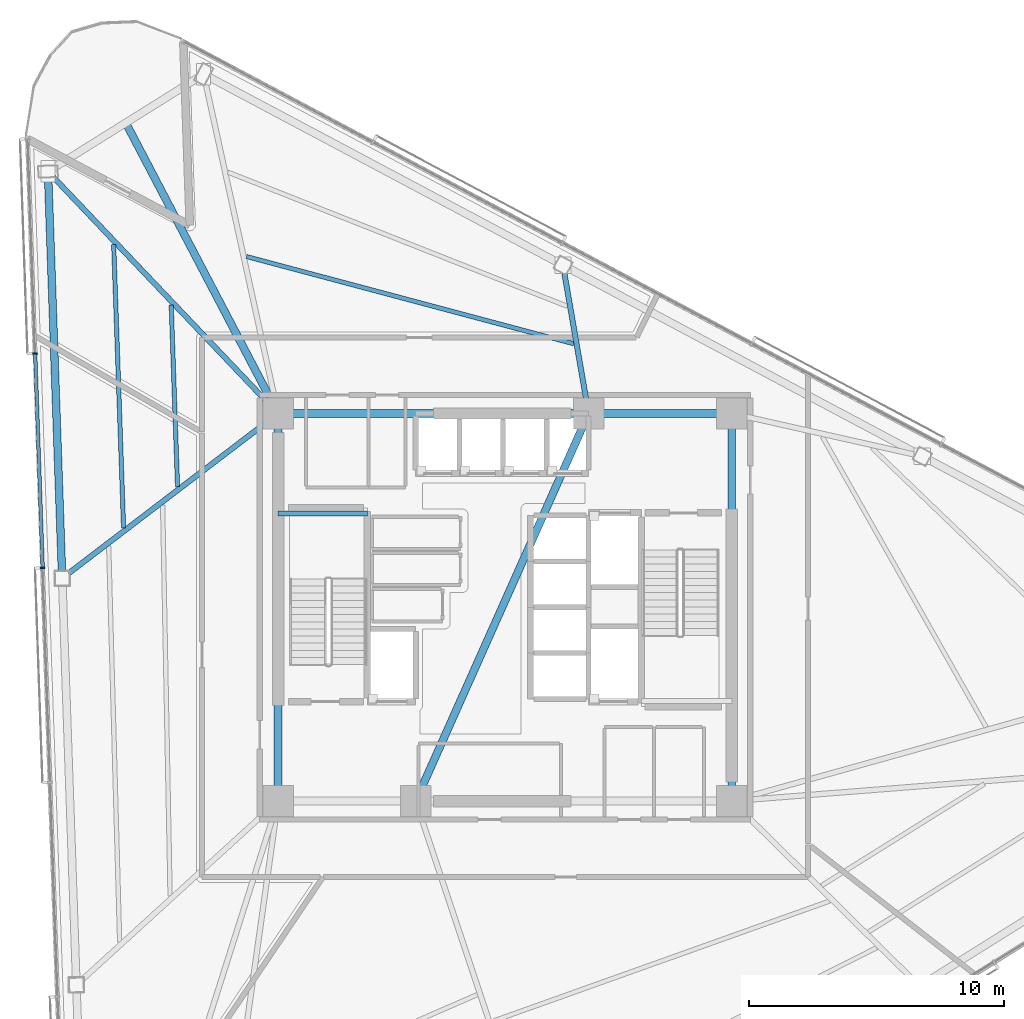
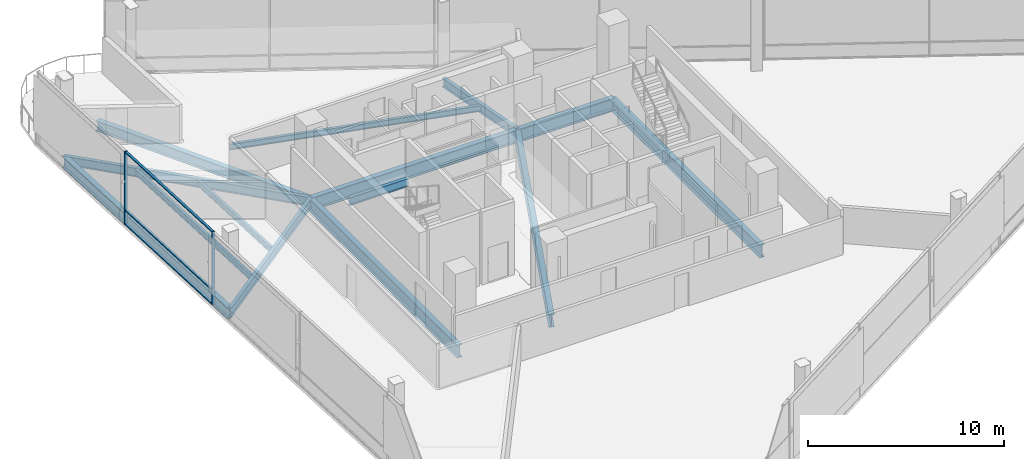
# One storey, part 7 of 19: 14 beams, 5 members, 1 element without a shape of its own.
"""IFC4 building model written with IfcOpenShell, lengths in metres."""

from ifc_helpers import new_model, si_unit, direction, frame, origin, origin_2d, place, context, subcontext, project, spatial, rectangle, i_section, extrude, material, layer, layer_set, material_profile, profile_set, type_object, element, aggregate, save


model = new_model("IFC4")

# Units and contexts
model_context = context("Model", 3, precision=1e-05, world=origin(), true_north=direction((0.0, 1.0)))
body_context = subcontext(model_context, "Body", "Model", "MODEL_VIEW")
ifc_project = project(units=[si_unit("LENGTHUNIT", "METRE"), si_unit("AREAUNIT", "SQUARE_METRE"), si_unit("VOLUMEUNIT", "CUBIC_METRE"), si_unit("PLANEANGLEUNIT", "RADIAN"), si_unit("MASSUNIT", "GRAM", prefix="KILO")], contexts=[model_context])

# Site, building, storey
site_placement = place(None, origin())
site = spatial("IfcSite", under=ifc_project, at=site_placement, CompositionType="ELEMENT")
building_placement = place(site_placement, origin())
building = spatial("IfcBuilding", under=site, at=building_placement, Name="Tharavind Bronze Gate", CompositionType="ELEMENT")
storey_placement = place(building_placement, frame((0.0, 0.0, 160.39990234375)))
storey = spatial("IfcBuildingStorey", under=building, at=storey_placement, Name="L41", CompositionType="ELEMENT", Elevation=160.39990234375)

# Curtain wall, members
ifc_material_1 = material(Name="Anodised Bronze Aluminium", Category="aluminium")
ifc_layer = layer(ifc_material_1, 0.219970703125)
ifc_layer_set = layer_set([ifc_layer], Name="Anodised Bronze Aluminium")
curtain_wall_type = type_object("IfcCurtainWallType", Name="UNITISED CURTAIN WALL MID OFFICE", PredefinedType="USERDEFINED", material=ifc_layer_set)
curtain_wall_placement = place(storey_placement, origin())
curtain_wall = element("IfcCurtainWall", 1, at=curtain_wall_placement, inside=storey, type_object=curtain_wall_type, Name="L41 unitised curtain wall mid office CW-L41-S1", ObjectType="UNITISED CURTAIN WALL", PredefinedType="USERDEFINED")
member_type_1 = type_object("IfcMemberType", Name="CURTAIN WALL BRONZE MULLION 65X180", PredefinedType="MULLION", material=ifc_material_1)
member_1_placement = place(storey_placement, frame((-18.426025390625, 9.955078125, 0.0), z_axis=(0.0, 0.0, 1.0), x_axis=(0.034899496703, -0.999390827019, 0.0)))
member_1 = element("IfcMember", 2, at=member_1_placement, type_object=member_type_1, Name="CW-L41-S1 mullion 2", PredefinedType="MULLION", context=body_context, shape_type="SweptSolid", body=[
    extrude(rectangle(XDim=0.06494140625, YDim=0.179931640625, at=origin_2d()), origin(), (0.0, 0.0, 1.0), 4.554931640625),
])
member_2_placement = place(storey_placement, frame((-18.132568359375, 1.545654296875, 0.0), z_axis=(0.0, 0.0, 1.0), x_axis=(0.034899496703, -0.999390827019, 0.0)))
member_2 = element("IfcMember", 3, at=member_2_placement, type_object=member_type_1, Name="CW-L41-S1 mullion 3", PredefinedType="MULLION", context=body_context, shape_type="SweptSolid", body=[
    extrude(rectangle(XDim=0.06494140625, YDim=0.179931640625, at=origin_2d()), origin(), (0.0, 0.0, 1.0), 4.554931640625),
])
member_type_2 = type_object("IfcMemberType", Name="CURTAIN WALL BRONZE TRANSOM 65X140", PredefinedType="USERDEFINED", material=ifc_material_1)
member_3_placement = place(storey_placement, frame((-18.279296875, 5.750244140625, 0.000244140625), z_axis=(0.0, 0.0, 1.0), x_axis=(0.034899496703, -0.999390827019, 0.0)))
member_3 = element("IfcMember", 4, at=member_3_placement, type_object=member_type_2, Name="CW-L41-S1 transom TB2", ObjectType="TRANSOM", PredefinedType="USERDEFINED", context=body_context, shape_type="SweptSolid", body=[
    extrude(rectangle(XDim=8.361572265625, YDim=0.139892578125, at=origin_2d()), origin(), (0.0, 0.0, 1.0), 0.06494140625),
])
member_4_placement = place(storey_placement, frame((-18.279296875, 5.750244140625, 0.86767578125), z_axis=(0.0, 0.0, 1.0), x_axis=(0.034899496703, -0.999390827019, 0.0)))
member_4 = element("IfcMember", 5, at=member_4_placement, type_object=member_type_2, Name="CW-L41-S1 transom TS2", ObjectType="TRANSOM", PredefinedType="USERDEFINED", context=body_context, shape_type="SweptSolid", body=[
    extrude(rectangle(XDim=8.361572265625, YDim=0.139892578125, at=origin_2d()), origin(), (0.0, 0.0, 1.0), 0.06494140625),
])
member_5_placement = place(storey_placement, frame((-18.279296875, 5.750244140625, 4.490234375), z_axis=(0.0, 0.0, 1.0), x_axis=(0.034899496703, -0.999390827019, 0.0)))
member_5 = element("IfcMember", 6, at=member_5_placement, type_object=member_type_2, Name="CW-L41-S1 transom TT2", ObjectType="TRANSOM", PredefinedType="USERDEFINED", context=body_context, shape_type="SweptSolid", body=[
    extrude(rectangle(XDim=8.361572265625, YDim=0.139892578125, at=origin_2d()), origin(), (0.0, 0.0, 1.0), 0.06494140625),
])
aggregate(curtain_wall, [member_1, member_2, member_3, member_4, member_5])

# Beams
ifc_material_2 = material(Name="Steel S355", Category="steel")
ifc_material_profile_1 = material_profile(ifc_material_2, i_section(OverallWidth=0.300048828125, OverallDepth=0.64990234375, WebThickness=0.01611328125, FlangeThickness=0.031005859375, at=origin_2d()), Name="HE650B")
ifc_profile_set_1 = profile_set([ifc_material_profile_1], Name="Steel S355")
beam_type_1 = type_object("IfcBeamType", Name="PRIMARY GIRDER HE650B", PredefinedType="USERDEFINED", material=ifc_profile_set_1)
beam_1_placement = place(storey_placement, frame((-8.89990234375, 7.60009765625, -0.514892578125), z_axis=(-0.464055196484, 0.88580628504, 0.0), x_axis=(-0.88580628504, -0.464055196484, 0.0)))
element("IfcBeam", 7, at=beam_1_placement, inside=storey, type_object=beam_type_1, Name="L41 primary girder he650b BM-L41-BLCSB", ObjectType="GIRDER", PredefinedType="USERDEFINED", context=body_context, shape_type="SweptSolid", body=[
    extrude(i_section(OverallWidth=0.300048828125, OverallDepth=0.64990234375, WebThickness=0.01611328125, FlangeThickness=0.031005859375, at=origin_2d()), origin(), (0.0, 0.0, 1.0), 12.86962890625),
])
ifc_material_profile_2 = material_profile(ifc_material_2, i_section(OverallWidth=0.199951171875, OverallDepth=0.5, WebThickness=0.01025390625, FlangeThickness=0.01611328125, at=origin_2d()), Name="IPE500")
ifc_profile_set_2 = profile_set([ifc_material_profile_2], Name="Steel S355")
beam_type_2 = type_object("IfcBeamType", Name="PRIMARY GIRDER IPE500", PredefinedType="USERDEFINED", material=ifc_profile_set_2)
beam_2_placement = place(storey_placement, frame((-8.89990234375, 3.679931640625, 1.925048828125), z_axis=(1.0, 0.0, 0.0), x_axis=(0.0, 1.0, 0.0)))
element("IfcBeam", 8, at=beam_2_placement, inside=storey, type_object=beam_type_2, Name="L41 primary girder ipe500 BM-LD-ST1-L41-1", ObjectType="GIRDER", PredefinedType="USERDEFINED", context=body_context, shape_type="SweptSolid", body=[
    extrude(i_section(OverallWidth=0.199951171875, OverallDepth=0.5, WebThickness=0.01025390625, FlangeThickness=0.01611328125, at=origin_2d()), origin(), (0.0, 0.0, 1.0), 3.5),
])
ifc_material_profile_3 = material_profile(ifc_material_2, i_section(OverallWidth=0.2099609375, OverallDepth=0.550048828125, WebThickness=0.010986328125, FlangeThickness=0.01708984375, at=origin_2d()), Name="IPE550")
ifc_profile_set_3 = profile_set([ifc_material_profile_3], Name="Steel S355")
beam_type_3 = type_object("IfcBeamType", Name="PRIMARY GIRDER IPE550", PredefinedType="USERDEFINED", material=ifc_profile_set_3)
beam_3_placement = place(storey_placement, frame((-17.9248046875, 17.09228515625, -0.46484375), z_axis=(0.689043333113, -0.724720142602, 0.0), x_axis=(0.724720142602, 0.689043333113, 0.0)))
element("IfcBeam", 9, at=beam_3_placement, inside=storey, type_object=beam_type_3, Name="L41 primary girder ipe550 BM-L41-RAD01", ObjectType="GIRDER", PredefinedType="USERDEFINED", context=body_context, shape_type="SweptSolid", body=[
    extrude(i_section(OverallWidth=0.2099609375, OverallDepth=0.550048828125, WebThickness=0.010986328125, FlangeThickness=0.01708984375, at=origin_2d()), origin(), (0.0, 0.0, 1.0), 13.09765625),
])
beam_4_placement = place(storey_placement, frame((-17.367919921875, 1.138916015625, -0.46484375), z_axis=(0.79500796779, 0.6065989871, 0.0), x_axis=(-0.6065989871, 0.79500796779, 0.0)))
element("IfcBeam", 10, at=beam_4_placement, inside=storey, type_object=beam_type_3, Name="L41 primary girder ipe550 BM-L41-RAD02", ObjectType="GIRDER", PredefinedType="USERDEFINED", context=body_context, shape_type="SweptSolid", body=[
    extrude(i_section(OverallWidth=0.2099609375, OverallDepth=0.550048828125, WebThickness=0.010986328125, FlangeThickness=0.01708984375, at=origin_2d()), origin(), (0.0, 0.0, 1.0), 10.6513671875),
])
beam_5_placement = place(storey_placement, frame((2.275634765625, 13.41357421875, -0.46484375), z_axis=(0.170247810627, -0.985401280178, 0.0), x_axis=(0.985401280178, 0.170247810627, 0.0)))
element("IfcBeam", 11, at=beam_5_placement, inside=storey, type_object=beam_type_3, Name="L41 primary girder ipe550 BM-L41-RAD11", ObjectType="GIRDER", PredefinedType="USERDEFINED", context=body_context, shape_type="SweptSolid", body=[
    extrude(i_section(OverallWidth=0.2099609375, OverallDepth=0.550048828125, WebThickness=0.010986328125, FlangeThickness=0.01708984375, at=origin_2d()), origin(), (0.0, 0.0, 1.0), 5.899658203125),
])
ifc_material_profile_4 = material_profile(ifc_material_2, i_section(OverallWidth=0.300048828125, OverallDepth=0.699951171875, WebThickness=0.01708984375, FlangeThickness=0.031982421875, at=origin_2d()), Name="HE700B")
ifc_profile_set_4 = profile_set([ifc_material_profile_4], Name="Steel S355")
beam_type_4 = type_object("IfcBeamType", Name="RING GIRDER HE700B", PredefinedType="USERDEFINED", material=ifc_profile_set_4)
beam_6_placement = place(storey_placement, frame((-17.9248046875, 17.09228515625, -0.539794921875), z_axis=(0.034885784199, -0.999391305776, 0.0), x_axis=(0.999391305776, 0.034885784199, 0.0)))
element("IfcBeam", 12, at=beam_6_placement, inside=storey, type_object=beam_type_4, Name="L41 ring girder he700b BM-L41-PRG01", ObjectType="GIRDER", PredefinedType="USERDEFINED", context=body_context, shape_type="SweptSolid", body=[
    extrude(i_section(OverallWidth=0.300048828125, OverallDepth=0.699951171875, WebThickness=0.01708984375, FlangeThickness=0.031982421875, at=origin_2d()), origin(), (0.0, 0.0, 1.0), 15.963134765625),
])
ifc_material_profile_5 = material_profile(ifc_material_2, i_section(OverallWidth=0.300048828125, OverallDepth=0.800048828125, WebThickness=0.017578125, FlangeThickness=0.032958984375, at=origin_2d()), Name="HE800B")
ifc_profile_set_5 = profile_set([ifc_material_profile_5], Name="Steel S355")
beam_type_5 = type_object("IfcBeamType", Name="RING GIRDER HE800B", PredefinedType="USERDEFINED", material=ifc_profile_set_5)
beam_7_placement = place(storey_placement, frame((8.89990234375, -7.60009765625, -0.58984375), z_axis=(0.0, 1.0, 0.0), x_axis=(-1.0, 0.0, 0.0)))
element("IfcBeam", 13, at=beam_7_placement, inside=storey, type_object=beam_type_5, Name="L41 ring girder he800b BM-L41-CR3", ObjectType="GIRDER", PredefinedType="USERDEFINED", context=body_context, shape_type="SweptSolid", body=[
    extrude(i_section(OverallWidth=0.300048828125, OverallDepth=0.800048828125, WebThickness=0.017578125, FlangeThickness=0.032958984375, at=origin_2d()), origin(), (0.0, 0.0, 1.0), 15.2001953125),
])
beam_8_placement = place(storey_placement, frame((8.89990234375, 7.60009765625, -0.58984375), z_axis=(-1.0, 0.0, 0.0), x_axis=(0.0, -1.0, 0.0)))
element("IfcBeam", 14, at=beam_8_placement, inside=storey, type_object=beam_type_5, Name="L41 ring girder he800b BM-L41-CR4", ObjectType="GIRDER", PredefinedType="USERDEFINED", context=body_context, shape_type="SweptSolid", body=[
    extrude(i_section(OverallWidth=0.300048828125, OverallDepth=0.800048828125, WebThickness=0.017578125, FlangeThickness=0.032958984375, at=origin_2d()), origin(), (0.0, 0.0, 1.0), 5.619873046875),
])
beam_9_placement = place(storey_placement, frame((3.280029296875, 7.60009765625, -0.58984375), z_axis=(-1.0, 0.0, 0.0), x_axis=(0.0, -1.0, 0.0)))
element("IfcBeam", 15, at=beam_9_placement, inside=storey, type_object=beam_type_5, Name="L41 ring girder he800b BM-L41-CR5", ObjectType="GIRDER", PredefinedType="USERDEFINED", context=body_context, shape_type="SweptSolid", body=[
    extrude(i_section(OverallWidth=0.300048828125, OverallDepth=0.800048828125, WebThickness=0.017578125, FlangeThickness=0.032958984375, at=origin_2d()), origin(), (0.0, 0.0, 1.0), 12.179931640625),
])
beam_10_placement = place(storey_placement, frame((-8.89990234375, 7.60009765625, -0.58984375), z_axis=(0.0, -1.0, 0.0), x_axis=(1.0, 0.0, 0.0)))
element("IfcBeam", 16, at=beam_10_placement, inside=storey, type_object=beam_type_5, Name="L41 ring girder he800b BM-L41-CR6", ObjectType="GIRDER", PredefinedType="USERDEFINED", context=body_context, shape_type="SweptSolid", body=[
    extrude(i_section(OverallWidth=0.300048828125, OverallDepth=0.800048828125, WebThickness=0.017578125, FlangeThickness=0.032958984375, at=origin_2d()), origin(), (0.0, 0.0, 1.0), 15.2001953125),
])
beam_11_placement = place(storey_placement, frame((-3.5, -7.60009765625, -0.58984375), z_axis=(0.407361644566, 0.913266932795, 0.0), x_axis=(-0.913266932795, 0.407361644566, 0.0)))
element("IfcBeam", 17, at=beam_11_placement, inside=storey, type_object=beam_type_5, Name="L41 ring girder he800b BM-L41-CR7", ObjectType="GIRDER", PredefinedType="USERDEFINED", context=body_context, shape_type="SweptSolid", body=[
    extrude(i_section(OverallWidth=0.300048828125, OverallDepth=0.800048828125, WebThickness=0.017578125, FlangeThickness=0.032958984375, at=origin_2d()), origin(), (0.0, 0.0, 1.0), 16.643798828125),
])
ifc_material_profile_6 = material_profile(ifc_material_2, i_section(OverallWidth=0.169921875, OverallDepth=0.360107421875, WebThickness=0.008056640625, FlangeThickness=0.0126953125, at=origin_2d()), Name="IPE360")
ifc_profile_set_6 = profile_set([ifc_material_profile_6], Name="Steel S355")
beam_type_6 = type_object("IfcBeamType", Name="SECONDARY FLOOR JOIST IPE360", PredefinedType="JOIST", material=ifc_profile_set_6)
beam_12_placement = place(storey_placement, frame((-13.0908203125, 11.851806640625, -0.369873046875), z_axis=(0.034868084792, -0.999391923453, 0.0), x_axis=(0.999391923453, 0.034868084792, 0.0)))
element("IfcBeam", 18, at=beam_12_placement, inside=storey, type_object=beam_type_6, Name="L41 secondary floor joist ipe360 BM-L41-JSTA01", PredefinedType="JOIST", context=body_context, shape_type="SweptSolid", body=[
    extrude(i_section(OverallWidth=0.169921875, OverallDepth=0.360107421875, WebThickness=0.008056640625, FlangeThickness=0.0126953125, at=origin_2d()), origin(), (0.0, 0.0, 1.0), 7.1279296875),
])
beam_13_placement = place(storey_placement, frame((-15.34716796875, 14.224853515625, -0.369873046875), z_axis=(0.034913008406, -0.999390355089, 0.0), x_axis=(0.999390355089, 0.034913008406, 0.0)))
element("IfcBeam", 19, at=beam_13_placement, inside=storey, type_object=beam_type_6, Name="L41 secondary floor joist ipe360 BM-L41-JSTB01", PredefinedType="JOIST", context=body_context, shape_type="SweptSolid", body=[
    extrude(i_section(OverallWidth=0.169921875, OverallDepth=0.360107421875, WebThickness=0.008056640625, FlangeThickness=0.0126953125, at=origin_2d()), origin(), (0.0, 0.0, 1.0), 11.11865234375),
])
beam_14_placement = place(storey_placement, frame((2.697509765625, 10.333984375, -0.369873046875), z_axis=(-0.966245614019, 0.257622618162, 0.0), x_axis=(-0.257622618162, -0.966245614019, 0.0)))
element("IfcBeam", 20, at=beam_14_placement, inside=storey, type_object=beam_type_6, Name="L41 secondary floor joist ipe360 BM-L41-JSTA11", PredefinedType="JOIST", context=body_context, shape_type="SweptSolid", body=[
    extrude(i_section(OverallWidth=0.169921875, OverallDepth=0.360107421875, WebThickness=0.008056640625, FlangeThickness=0.0126953125, at=origin_2d()), origin(), (0.0, 0.0, 1.0), 13.285400390625),
])

save(model, "model.ifc")
